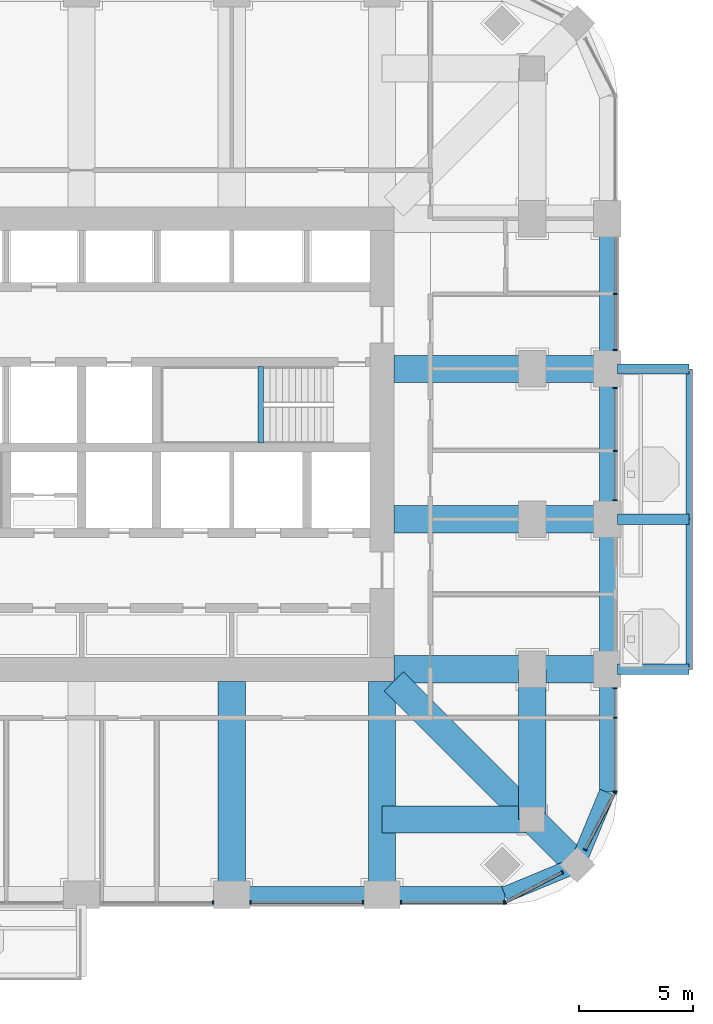
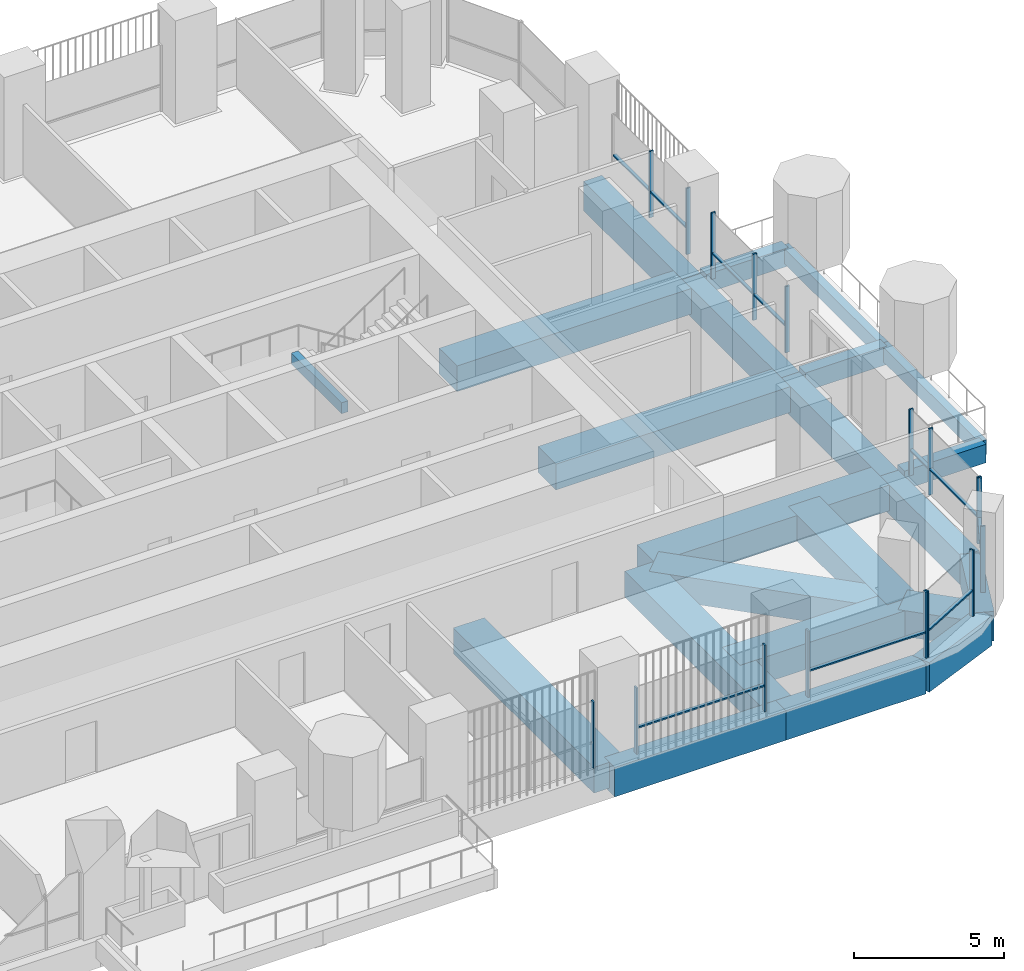
# One storey, part 5 of 20: 27 members, 23 beams, 8 elements without a shape of their own.
"""IFC4 building model written with IfcOpenShell, lengths in metres."""

from ifc_helpers import new_model, si_unit, direction, frame, origin, origin_2d, place, context, subcontext, project, spatial, rectangle, extrude, material, material_profile, profile_set, type_object, element, aggregate, save


model = new_model("IFC4")

# Units and contexts
model_context = context("Model", 3, precision=1e-05, world=origin(), true_north=direction((0.0, 1.0)))
body_context = subcontext(model_context, "Body", "Model", "MODEL_VIEW")
ifc_project = project(units=[si_unit("LENGTHUNIT", "METRE"), si_unit("AREAUNIT", "SQUARE_METRE"), si_unit("VOLUMEUNIT", "CUBIC_METRE"), si_unit("PLANEANGLEUNIT", "RADIAN"), si_unit("MASSUNIT", "GRAM", prefix="KILO")], contexts=[model_context])

# Site, building, storey
site_placement = place(None, origin())
site = spatial("IfcSite", under=ifc_project, at=site_placement, CompositionType="ELEMENT")
building_placement = place(site_placement, origin())
building = spatial("IfcBuilding", under=site, at=building_placement, Name="Cobogo Forest Laboratory Tower", CompositionType="ELEMENT")
storey_placement = place(building_placement, frame((0.0, 0.0, 193.5)))
storey = spatial("IfcBuildingStorey", under=building, at=storey_placement, Name="L44", CompositionType="ELEMENT", Elevation=193.5)

# Beams
ifc_material_1 = material(Name="Concrete HA-40 (C40/50)", Category="concrete")
ifc_material_profile_1 = material_profile(ifc_material_1, rectangle(XDim=0.449951171875, YDim=0.75, at=origin_2d()), Name="RC 450x750")
ifc_profile_set_1 = profile_set([ifc_material_profile_1], Name="Concrete HA-40 (C40/50)")
beam_type_1 = type_object("IfcBeamType", Name="Balcony cantilever beam 450x750", PredefinedType="BEAM", material=ifc_profile_set_1)
for number, where, z_axis, x_axis, name in (
    (1, (49.949951171875, 13.199951171875, -0.625), (1.0, 0.0, 0.0), (0.0, 1.0, 0.0), "CB1 BAL-E1-C1 L44"),
    (2, (49.949951171875, 19.800048828125, -0.625), (1.0, 0.0, 0.0), (0.0, 1.0, 0.0), "CB1 BAL-E1-C2 L44"),
    (3, (49.949951171875, 26.39990234375, -0.625), (1.0, 0.0, 0.0), (0.0, 1.0, 0.0), "CB1 BAL-E1-C3 L44"),
):
    element("IfcBeam", number, at=place(storey_placement, frame(where, z_axis=z_axis, x_axis=x_axis)), inside=storey, type_object=beam_type_1, Name=name, PredefinedType="BEAM", context=body_context, shape_type="SweptSolid", body=[
        extrude(rectangle(XDim=0.449951171875, YDim=0.75, at=origin_2d()), origin(), (0.0, 0.0, 1.0), 3.150146484375),
    ])
ifc_material_profile_2 = material_profile(ifc_material_1, rectangle(XDim=0.300048828125, YDim=0.60009765625, at=origin_2d()), Name="RC 300x600")
ifc_profile_set_2 = profile_set([ifc_material_profile_2], Name="Concrete HA-40 (C40/50)")
beam_type_2 = type_object("IfcBeamType", Name="Balcony edge beam 300x600", PredefinedType="BEAM", material=ifc_profile_set_2)
beam_1_placement = place(storey_placement, frame((53.10009765625, 13.199951171875, -0.550048828125), z_axis=(0.0, 1.0, 0.0), x_axis=(-1.0, 0.0, 0.0)))
element("IfcBeam", 4, at=beam_1_placement, inside=storey, type_object=beam_type_2, Name="BB1 BAL-E1-T1 L44", PredefinedType="BEAM", context=body_context, shape_type="SweptSolid", body=[
    extrude(rectangle(XDim=0.300048828125, YDim=0.60009765625, at=origin_2d()), origin(), (0.0, 0.0, 1.0), 6.60009765625),
])
beam_2_placement = place(storey_placement, frame((53.10009765625, 19.800048828125, -0.550048828125), z_axis=(0.0, 1.0, 0.0), x_axis=(-1.0, 0.0, 0.0)))
element("IfcBeam", 5, at=beam_2_placement, inside=storey, type_object=beam_type_2, Name="BB1 BAL-E1-T2 L44", PredefinedType="BEAM", context=body_context, shape_type="SweptSolid", body=[
    extrude(rectangle(XDim=0.300048828125, YDim=0.60009765625, at=origin_2d()), origin(), (0.0, 0.0, 1.0), 6.599853515625),
])
ifc_material_profile_3 = material_profile(ifc_material_1, rectangle(XDim=0.25, YDim=0.449951171875, at=origin_2d()), Name="RC 250x450")
ifc_profile_set_3 = profile_set([ifc_material_profile_3], Name="Concrete HA-40 (C40/50)")
beam_type_3 = type_object("IfcBeamType", Name="LB1 landing beam 250x450", PredefinedType="BEAM", material=ifc_profile_set_3)
beam_3_placement = place(storey_placement, frame((34.27001953125, 23.14990234375, 1.675048828125), z_axis=(0.0, 1.0, 0.0), x_axis=(-1.0, 0.0, 0.0)))
element("IfcBeam", 6, at=beam_3_placement, inside=storey, type_object=beam_type_3, Name="Landing beam ST2 L44", PredefinedType="BEAM", context=body_context, shape_type="SweptSolid", body=[
    extrude(rectangle(XDim=0.25, YDim=0.449951171875, at=origin_2d()), origin(), (0.0, 0.0, 1.0), 3.35009765625),
])
ifc_material_profile_4 = material_profile(ifc_material_1, rectangle(XDim=1.199951171875, YDim=1.050048828125, at=origin_2d()), Name="RC 1200x1050")
ifc_profile_set_4 = profile_set([ifc_material_profile_4], Name="Concrete HA-40 (C40/50)")
beam_type_4 = type_object("IfcBeamType", Name="Laboratory floor wide beam 1200x1050", PredefinedType="BEAM", material=ifc_profile_set_4)
for number, where, z_axis, x_axis, name in (
    (7, (33.0, 12.675048828125, -0.824951171875), (0.0, -1.0, 0.0), (1.0, 0.0, 0.0), "RB1 R-6-S L44"),
    (8, (39.60009765625, 12.675048828125, -0.824951171875), (0.0, -1.0, 0.0), (1.0, 0.0, 0.0), "RB1 R-7-S L44"),
    (9, (40.125, 13.199951171875, -0.824951171875), (1.0, 0.0, 0.0), (0.0, 1.0, 0.0), "RB1 R-C-E L44"),
    (10, (40.125, 19.800048828125, -0.824951171875), (1.0, 0.0, 0.0), (0.0, 1.0, 0.0), "RB1 R-D-E L44"),
    (11, (40.125, 26.39990234375, -0.824951171875), (1.0, 0.0, 0.0), (0.0, 1.0, 0.0), "RB1 R-E-E L44"),
):
    element("IfcBeam", number, at=place(storey_placement, frame(where, z_axis=z_axis, x_axis=x_axis)), inside=storey, type_object=beam_type_4, Name=name, PredefinedType="BEAM", context=body_context, shape_type="SweptSolid", body=[
        extrude(rectangle(XDim=1.199951171875, YDim=1.050048828125, at=origin_2d()), origin(), (0.0, 0.0, 1.0), 9.375),
    ])
for number, where, z_axis, x_axis, name in (
    (12, (46.199951171875, 6.60009765625, -0.824951171875), (0.0, 1.0, 0.0), (-1.0, 0.0, 0.0), "RB1 G-SE-XC L44"),
    (13, (46.199951171875, 6.60009765625, -0.824951171875), (-1.0, 0.0, 0.0), (0.0, -1.0, 0.0), "RB1 G-SE-YC L44"),
):
    element("IfcBeam", number, at=place(storey_placement, frame(where, z_axis=z_axis, x_axis=x_axis)), inside=storey, type_object=beam_type_4, Name=name, PredefinedType="BEAM", context=body_context, shape_type="SweptSolid", body=[
        extrude(rectangle(XDim=1.199951171875, YDim=1.050048828125, at=origin_2d()), origin(), (0.0, 0.0, 1.0), 6.599853515625),
    ])
beam_4_placement = place(storey_placement, frame((48.181884765625, 4.617919921875, -0.824951171875), z_axis=(-0.707063230743, 0.707150328948, 0.0), x_axis=(-0.707150328948, -0.707063230743, 0.0)))
element("IfcBeam", 14, at=beam_4_placement, inside=storey, type_object=beam_type_4, Name="RB1 G-SE-D1 L44", PredefinedType="BEAM", context=body_context, shape_type="SweptSolid", body=[
    extrude(rectangle(XDim=1.199951171875, YDim=1.050048828125, at=origin_2d()), origin(), (0.0, 0.0, 1.0), 2.802978515625),
])
beam_5_placement = place(storey_placement, frame((46.199951171875, 6.60009765625, -0.824951171875), z_axis=(-0.707106781187, 0.707106781187, 0.0), x_axis=(-0.707106781187, -0.707106781187, 0.0)))
element("IfcBeam", 15, at=beam_5_placement, inside=storey, type_object=beam_type_4, Name="RB1 G-SE-D2 L44", PredefinedType="BEAM", context=body_context, shape_type="SweptSolid", body=[
    extrude(rectangle(XDim=1.199951171875, YDim=1.050048828125, at=origin_2d()), origin(), (0.0, 0.0, 1.0), 8.59130859375),
])

# Curtain wall, member
ifc_material_2 = material(Name="Aluminium curtain wall", Category="aluminium")
curtain_wall_type = type_object("IfcCurtainWallType", Name="CW-2 unitised curtain wall, solar control glazing, laboratory floors zones C and D", PredefinedType="USERDEFINED", material=ifc_material_2)
curtain_wall_1_placement = place(storey_placement, origin())
curtain_wall_1 = element("IfcCurtainWall", 16, at=curtain_wall_1_placement, inside=storey, type_object=curtain_wall_type, Name="Curtain wall 04 L44", ObjectType="UNITISED CURTAIN WALL", PredefinedType="USERDEFINED")
ifc_material_3 = material(Name="Aluminium mullion", Category="aluminium")
ifc_material_profile_5 = material_profile(ifc_material_3, rectangle(XDim=0.06005859375, YDim=0.159912109375, at=origin_2d()), Name="AL 60x160")
ifc_profile_set_5 = profile_set([ifc_material_profile_5], Name="Aluminium mullion")
member_type_1 = type_object("IfcMemberType", Name="MU-1 aluminium mullion 60x160", PredefinedType="MULLION", material=ifc_profile_set_5)
member_1_placement = place(storey_placement, frame((32.169921875, 2.949951171875, 0.0), z_axis=(0.0, 0.0, 1.0), x_axis=(1.0, 0.0, 0.0)))
member_1 = element("IfcMember", 17, at=member_1_placement, type_object=member_type_1, Name="CW-2 mullion 3", PredefinedType="MULLION", context=body_context, shape_type="SweptSolid", body=[
    extrude(rectangle(XDim=0.06005859375, YDim=0.159912109375, at=origin_2d()), origin(), (0.0, 0.0, 1.0), 2.699951171875),
])
aggregate(curtain_wall_1, [member_1])

# Curtain wall, members
curtain_wall_2_placement = place(storey_placement, origin())
curtain_wall_2 = element("IfcCurtainWall", 18, at=curtain_wall_2_placement, inside=storey, type_object=curtain_wall_type, Name="Curtain wall 05 L44", ObjectType="UNITISED CURTAIN WALL", PredefinedType="USERDEFINED")
member_2_placement = place(storey_placement, frame((33.830078125, 2.949951171875, 0.0), z_axis=(0.0, 0.0, 1.0), x_axis=(1.0, 0.0, 0.0)))
member_2 = element("IfcMember", 19, at=member_2_placement, type_object=member_type_1, Name="CW-2 mullion 1", PredefinedType="MULLION", context=body_context, shape_type="SweptSolid", body=[
    extrude(rectangle(XDim=0.06005859375, YDim=0.159912109375, at=origin_2d()), origin(), (0.0, 0.0, 1.0), 2.699951171875),
])
member_3_placement = place(storey_placement, frame((38.77001953125, 2.949951171875, 0.0), z_axis=(0.0, 0.0, 1.0), x_axis=(1.0, 0.0, 0.0)))
member_3 = element("IfcMember", 20, at=member_3_placement, type_object=member_type_1, Name="CW-2 mullion 2", PredefinedType="MULLION", context=body_context, shape_type="SweptSolid", body=[
    extrude(rectangle(XDim=0.06005859375, YDim=0.159912109375, at=origin_2d()), origin(), (0.0, 0.0, 1.0), 2.699951171875),
])

curtain_wall_3_placement = place(storey_placement, origin())
curtain_wall_3 = element("IfcCurtainWall", 21, at=curtain_wall_3_placement, inside=storey, type_object=curtain_wall_type, Name="Curtain wall 06 L44", ObjectType="UNITISED CURTAIN WALL", PredefinedType="USERDEFINED")
member_4_placement = place(storey_placement, frame((40.429931640625, 2.949951171875, 0.0), z_axis=(0.0, 0.0, 1.0), x_axis=(1.0, 0.0, 0.0)))
member_4 = element("IfcMember", 22, at=member_4_placement, type_object=member_type_1, Name="CW-2 mullion 1", PredefinedType="MULLION", context=body_context, shape_type="SweptSolid", body=[
    extrude(rectangle(XDim=0.06005859375, YDim=0.159912109375, at=origin_2d()), origin(), (0.0, 0.0, 1.0), 2.699951171875),
])
member_5_placement = place(storey_placement, frame((44.969970703125, 2.949951171875, 0.0), z_axis=(0.0, 0.0, 1.0), x_axis=(1.0, 0.0, 0.0)))
member_5 = element("IfcMember", 23, at=member_5_placement, type_object=member_type_1, Name="CW-2 mullion 2", PredefinedType="MULLION", context=body_context, shape_type="SweptSolid", body=[
    extrude(rectangle(XDim=0.06005859375, YDim=0.159912109375, at=origin_2d()), origin(), (0.0, 0.0, 1.0), 2.699951171875),
])

curtain_wall_4_placement = place(storey_placement, origin())
curtain_wall_4 = element("IfcCurtainWall", 24, at=curtain_wall_4_placement, inside=storey, type_object=curtain_wall_type, Name="Curtain wall 07 L44", ObjectType="UNITISED CURTAIN WALL", PredefinedType="USERDEFINED")
member_6_placement = place(storey_placement, frame((45.026611328125, 2.9638671875, 0.0), z_axis=(0.0, 0.0, 1.0), x_axis=(0.885686484356, 0.464283804832, 0.0)))
member_6 = element("IfcMember", 25, at=member_6_placement, type_object=member_type_1, Name="CW-2 mullion 1", PredefinedType="MULLION", context=body_context, shape_type="SweptSolid", body=[
    extrude(rectangle(XDim=0.06005859375, YDim=0.159912109375, at=origin_2d()), origin(), (0.0, 0.0, 1.0), 2.699951171875),
])
member_7_placement = place(storey_placement, frame((47.5244140625, 4.2734375, 0.0), z_axis=(0.0, 0.0, 1.0), x_axis=(0.885686484356, 0.464283804832, 0.0)))
member_7 = element("IfcMember", 26, at=member_7_placement, type_object=member_type_1, Name="CW-2 mullion 2", PredefinedType="MULLION", context=body_context, shape_type="SweptSolid", body=[
    extrude(rectangle(XDim=0.06005859375, YDim=0.159912109375, at=origin_2d()), origin(), (0.0, 0.0, 1.0), 2.699951171875),
])

curtain_wall_5_placement = place(storey_placement, origin())
curtain_wall_5 = element("IfcCurtainWall", 27, at=curtain_wall_5_placement, inside=storey, type_object=curtain_wall_type, Name="Curtain wall 08 L44", ObjectType="UNITISED CURTAIN WALL", PredefinedType="USERDEFINED")
member_8_placement = place(storey_placement, frame((48.526611328125, 5.275634765625, 0.0), z_axis=(0.0, 0.0, 1.0), x_axis=(0.464283804832, 0.885686484356, 0.0)))
member_8 = element("IfcMember", 28, at=member_8_placement, type_object=member_type_1, Name="CW-2 mullion 1", PredefinedType="MULLION", context=body_context, shape_type="SweptSolid", body=[
    extrude(rectangle(XDim=0.06005859375, YDim=0.159912109375, at=origin_2d()), origin(), (0.0, 0.0, 1.0), 2.699951171875),
])
member_9_placement = place(storey_placement, frame((49.836181640625, 7.7734375, 0.0), z_axis=(0.0, 0.0, 1.0), x_axis=(0.464283804832, 0.885686484356, 0.0)))
member_9 = element("IfcMember", 29, at=member_9_placement, type_object=member_type_1, Name="CW-2 mullion 2", PredefinedType="MULLION", context=body_context, shape_type="SweptSolid", body=[
    extrude(rectangle(XDim=0.06005859375, YDim=0.159912109375, at=origin_2d()), origin(), (0.0, 0.0, 1.0), 2.699951171875),
])

curtain_wall_6_placement = place(storey_placement, origin())
curtain_wall_6 = element("IfcCurtainWall", 30, at=curtain_wall_6_placement, inside=storey, type_object=curtain_wall_type, Name="Curtain wall 09 L44", ObjectType="UNITISED CURTAIN WALL", PredefinedType="USERDEFINED")
member_10_placement = place(storey_placement, frame((49.85009765625, 7.830078125, 0.0), z_axis=(0.0, 0.0, 1.0), x_axis=(0.0, 1.0, 0.0)))
member_10 = element("IfcMember", 31, at=member_10_placement, type_object=member_type_1, Name="CW-2 mullion 1", PredefinedType="MULLION", context=body_context, shape_type="SweptSolid", body=[
    extrude(rectangle(XDim=0.06005859375, YDim=0.159912109375, at=origin_2d()), origin(), (0.0, 0.0, 1.0), 2.699951171875),
])
member_11_placement = place(storey_placement, frame((49.85009765625, 11.074951171875, 0.0), z_axis=(0.0, 0.0, 1.0), x_axis=(0.0, 1.0, 0.0)))
member_11 = element("IfcMember", 32, at=member_11_placement, type_object=member_type_1, Name="CW-2 mullion 2", PredefinedType="MULLION", context=body_context, shape_type="SweptSolid", body=[
    extrude(rectangle(XDim=0.06005859375, YDim=0.159912109375, at=origin_2d()), origin(), (0.0, 0.0, 1.0), 2.699951171875),
])
member_12_placement = place(storey_placement, frame((49.85009765625, 12.3701171875, 0.0), z_axis=(0.0, 0.0, 1.0), x_axis=(0.0, 1.0, 0.0)))
member_12 = element("IfcMember", 33, at=member_12_placement, type_object=member_type_1, Name="CW-2 mullion 3", PredefinedType="MULLION", context=body_context, shape_type="SweptSolid", body=[
    extrude(rectangle(XDim=0.06005859375, YDim=0.159912109375, at=origin_2d()), origin(), (0.0, 0.0, 1.0), 2.699951171875),
])

curtain_wall_7_placement = place(storey_placement, origin())
curtain_wall_7 = element("IfcCurtainWall", 34, at=curtain_wall_7_placement, inside=storey, type_object=curtain_wall_type, Name="Curtain wall 11 L44", ObjectType="UNITISED CURTAIN WALL", PredefinedType="USERDEFINED")
member_13_placement = place(storey_placement, frame((49.85009765625, 20.6298828125, 0.0), z_axis=(0.0, 0.0, 1.0), x_axis=(0.0, 1.0, 0.0)))
member_13 = element("IfcMember", 35, at=member_13_placement, type_object=member_type_1, Name="CW-2 mullion 1", PredefinedType="MULLION", context=body_context, shape_type="SweptSolid", body=[
    extrude(rectangle(XDim=0.06005859375, YDim=0.159912109375, at=origin_2d()), origin(), (0.0, 0.0, 1.0), 2.699951171875),
])
member_14_placement = place(storey_placement, frame((49.85009765625, 22.800048828125, 0.0), z_axis=(0.0, 0.0, 1.0), x_axis=(0.0, 1.0, 0.0)))
member_14 = element("IfcMember", 36, at=member_14_placement, type_object=member_type_1, Name="CW-2 mullion 2", PredefinedType="MULLION", context=body_context, shape_type="SweptSolid", body=[
    extrude(rectangle(XDim=0.06005859375, YDim=0.159912109375, at=origin_2d()), origin(), (0.0, 0.0, 1.0), 2.699951171875),
])
member_15_placement = place(storey_placement, frame((49.85009765625, 25.570068359375, 0.0), z_axis=(0.0, 0.0, 1.0), x_axis=(0.0, 1.0, 0.0)))
member_15 = element("IfcMember", 37, at=member_15_placement, type_object=member_type_1, Name="CW-2 mullion 3", PredefinedType="MULLION", context=body_context, shape_type="SweptSolid", body=[
    extrude(rectangle(XDim=0.06005859375, YDim=0.159912109375, at=origin_2d()), origin(), (0.0, 0.0, 1.0), 2.699951171875),
])

curtain_wall_8_placement = place(storey_placement, origin())
curtain_wall_8 = element("IfcCurtainWall", 38, at=curtain_wall_8_placement, inside=storey, type_object=curtain_wall_type, Name="Curtain wall 12 L44", ObjectType="UNITISED CURTAIN WALL", PredefinedType="USERDEFINED")
member_16_placement = place(storey_placement, frame((49.85009765625, 27.22998046875, 0.0), z_axis=(0.0, 0.0, 1.0), x_axis=(0.0, 1.0, 0.0)))
member_16 = element("IfcMember", 39, at=member_16_placement, type_object=member_type_1, Name="CW-2 mullion 1", PredefinedType="MULLION", context=body_context, shape_type="SweptSolid", body=[
    extrude(rectangle(XDim=0.06005859375, YDim=0.159912109375, at=origin_2d()), origin(), (0.0, 0.0, 1.0), 2.699951171875),
])
member_17_placement = place(storey_placement, frame((49.85009765625, 29.699951171875, 0.0), z_axis=(0.0, 0.0, 1.0), x_axis=(0.0, 1.0, 0.0)))
member_17 = element("IfcMember", 40, at=member_17_placement, type_object=member_type_1, Name="CW-2 mullion 2", PredefinedType="MULLION", context=body_context, shape_type="SweptSolid", body=[
    extrude(rectangle(XDim=0.06005859375, YDim=0.159912109375, at=origin_2d()), origin(), (0.0, 0.0, 1.0), 2.699951171875),
])

# Beams
ifc_material_profile_6 = material_profile(ifc_material_1, rectangle(XDim=0.699951171875, YDim=1.199951171875, at=origin_2d()), Name="RC 700x1200")
ifc_profile_set_6 = profile_set([ifc_material_profile_6], Name="Concrete HA-40 (C40/50)")
beam_type_5 = type_object("IfcBeamType", Name="Perimeter edge beam 700x1200", PredefinedType="BEAM", material=ifc_profile_set_6)
for number, where, z_axis, x_axis, name in (
    (41, (33.0, 3.300048828125, -0.89990234375), (1.0, 0.0, 0.0), (0.0, 1.0, 0.0), "EB1 E-S4 L44"),
    (42, (49.5, 13.199951171875, -0.89990234375), (0.0, 1.0, 0.0), (-1.0, 0.0, 0.0), "EB1 E-E1 L44"),
):
    element("IfcBeam", number, at=place(storey_placement, frame(where, z_axis=z_axis, x_axis=x_axis)), inside=storey, type_object=beam_type_5, Name=name, PredefinedType="BEAM", context=body_context, shape_type="SweptSolid", body=[
        extrude(rectangle(XDim=0.699951171875, YDim=1.199951171875, at=origin_2d()), origin(), (0.0, 0.0, 1.0), 6.60009765625),
    ])
beam_6_placement = place(storey_placement, frame((49.5, 19.800048828125, -0.89990234375), z_axis=(0.0, 1.0, 0.0), x_axis=(-1.0, 0.0, 0.0)))
element("IfcBeam", 43, at=beam_6_placement, inside=storey, type_object=beam_type_5, Name="EB1 E-E2 L44", PredefinedType="BEAM", context=body_context, shape_type="SweptSolid", body=[
    extrude(rectangle(XDim=0.699951171875, YDim=1.199951171875, at=origin_2d()), origin(), (0.0, 0.0, 1.0), 6.599853515625),
])
beam_7_placement = place(storey_placement, frame((49.5, 26.39990234375, -0.89990234375), z_axis=(0.0, 1.0, 0.0), x_axis=(-1.0, 0.0, 0.0)))
element("IfcBeam", 44, at=beam_7_placement, inside=storey, type_object=beam_type_5, Name="EB1 E-E3 L44", PredefinedType="BEAM", context=body_context, shape_type="SweptSolid", body=[
    extrude(rectangle(XDim=0.699951171875, YDim=1.199951171875, at=origin_2d()), origin(), (0.0, 0.0, 1.0), 6.60009765625),
])
beam_8_placement = place(storey_placement, frame((39.60009765625, 3.300048828125, -0.89990234375), z_axis=(1.0, 0.0, 0.0), x_axis=(0.0, 1.0, 0.0)))
element("IfcBeam", 45, at=beam_8_placement, inside=storey, type_object=beam_type_5, Name="EB1 E-SES1 L44", PredefinedType="BEAM", context=body_context, shape_type="SweptSolid", body=[
    extrude(rectangle(XDim=0.699951171875, YDim=1.199951171875, at=origin_2d()), origin(), (0.0, 0.0, 1.0), 5.39990234375),
])
beam_9_placement = place(storey_placement, frame((45.0, 3.300048828125, -0.89990234375), z_axis=(0.923890694089, 0.382656484822, 0.0), x_axis=(-0.382656484822, 0.923890694089, 0.0)))
element("IfcBeam", 46, at=beam_9_placement, inside=storey, type_object=beam_type_5, Name="EB1 E-SES2 L44", PredefinedType="BEAM", context=body_context, shape_type="SweptSolid", body=[
    extrude(rectangle(XDim=0.699951171875, YDim=1.199951171875, at=origin_2d()), origin(), (0.0, 0.0, 1.0), 3.444091796875),
])
beam_10_placement = place(storey_placement, frame((49.5, 13.199951171875, -0.89990234375), z_axis=(0.0, -1.0, 0.0), x_axis=(1.0, 0.0, 0.0)))
element("IfcBeam", 47, at=beam_10_placement, inside=storey, type_object=beam_type_5, Name="EB1 E-SEE1 L44", PredefinedType="BEAM", context=body_context, shape_type="SweptSolid", body=[
    extrude(rectangle(XDim=0.699951171875, YDim=1.199951171875, at=origin_2d()), origin(), (0.0, 0.0, 1.0), 5.39990234375),
])
beam_11_placement = place(storey_placement, frame((49.5, 7.800048828125, -0.89990234375), z_axis=(-0.382691928466, -0.923876013265, 0.0), x_axis=(0.923876013265, -0.382691928466, 0.0)))
element("IfcBeam", 48, at=beam_11_placement, inside=storey, type_object=beam_type_5, Name="EB1 E-SEE2 L44", PredefinedType="BEAM", context=body_context, shape_type="SweptSolid", body=[
    extrude(rectangle(XDim=0.699951171875, YDim=1.199951171875, at=origin_2d()), origin(), (0.0, 0.0, 1.0), 3.4443359375),
])

# Member
ifc_material_4 = material(Name="Aluminium transom", Category="aluminium")
ifc_material_profile_7 = material_profile(ifc_material_4, rectangle(XDim=0.1201171875, YDim=0.06005859375, at=origin_2d()), Name="AL 60x120")
ifc_profile_set_7 = profile_set([ifc_material_profile_7], Name="Aluminium transom")
member_type_2 = type_object("IfcMemberType", Name="TR-1 aluminium transom 60x120", PredefinedType="USERDEFINED", material=ifc_profile_set_7)
member_18_placement = place(storey_placement, frame((33.860107421875, 2.949951171875, 1.050048828125), z_axis=(1.0, 0.0, 0.0), x_axis=(0.0, 1.0, 0.0)))
member_18 = element("IfcMember", 49, at=member_18_placement, type_object=member_type_2, Name="CW-2 transom 1.1", ObjectType="TRANSOM", PredefinedType="USERDEFINED", context=body_context, shape_type="SweptSolid", body=[
    extrude(rectangle(XDim=0.1201171875, YDim=0.06005859375, at=origin_2d()), origin(), (0.0, 0.0, 1.0), 4.8798828125),
])

aggregate(curtain_wall_2, [member_2, member_3, member_18])

member_19_placement = place(storey_placement, frame((40.4599609375, 2.949951171875, 1.050048828125), z_axis=(1.0, 0.0, 0.0), x_axis=(0.0, 1.0, 0.0)))
member_19 = element("IfcMember", 50, at=member_19_placement, type_object=member_type_2, Name="CW-2 transom 1.1", ObjectType="TRANSOM", PredefinedType="USERDEFINED", context=body_context, shape_type="SweptSolid", body=[
    extrude(rectangle(XDim=0.1201171875, YDim=0.06005859375, at=origin_2d()), origin(), (0.0, 0.0, 1.0), 4.47998046875),
])

aggregate(curtain_wall_3, [member_4, member_5, member_19])

member_20_placement = place(storey_placement, frame((45.05322265625, 2.977783203125, 1.050048828125), z_axis=(0.885646224078, 0.464360598863, 0.0), x_axis=(-0.464360598863, 0.885646224078, 0.0)))
member_20 = element("IfcMember", 51, at=member_20_placement, type_object=member_type_2, Name="CW-2 transom 1.1", ObjectType="TRANSOM", PredefinedType="USERDEFINED", context=body_context, shape_type="SweptSolid", body=[
    extrude(rectangle(XDim=0.1201171875, YDim=0.06005859375, at=origin_2d()), origin(), (0.0, 0.0, 1.0), 2.76025390625),
])

aggregate(curtain_wall_4, [member_6, member_7, member_20])

member_21_placement = place(storey_placement, frame((48.54052734375, 5.302001953125, 1.050048828125), z_axis=(0.464254846591, 0.88570166389, 0.0), x_axis=(-0.88570166389, 0.464254846591, 0.0)))
member_21 = element("IfcMember", 52, at=member_21_placement, type_object=member_type_2, Name="CW-2 transom 1.1", ObjectType="TRANSOM", PredefinedType="USERDEFINED", context=body_context, shape_type="SweptSolid", body=[
    extrude(rectangle(XDim=0.1201171875, YDim=0.06005859375, at=origin_2d()), origin(), (0.0, 0.0, 1.0), 2.76025390625),
])

aggregate(curtain_wall_5, [member_8, member_9, member_21])

member_22_placement = place(storey_placement, frame((49.85009765625, 7.860107421875, 1.050048828125), z_axis=(0.0, 1.0, 0.0), x_axis=(-1.0, 0.0, 0.0)))
member_22 = element("IfcMember", 53, at=member_22_placement, type_object=member_type_2, Name="CW-2 transom 1.1", ObjectType="TRANSOM", PredefinedType="USERDEFINED", context=body_context, shape_type="SweptSolid", body=[
    extrude(rectangle(XDim=0.1201171875, YDim=0.06005859375, at=origin_2d()), origin(), (0.0, 0.0, 1.0), 3.184814453125),
])

member_23_placement = place(storey_placement, frame((49.85009765625, 11.10498046875, 1.050048828125), z_axis=(0.0, 1.0, 0.0), x_axis=(-1.0, 0.0, 0.0)))
member_23 = element("IfcMember", 54, at=member_23_placement, type_object=member_type_2, Name="CW-2 transom 2.1", ObjectType="TRANSOM", PredefinedType="USERDEFINED", context=body_context, shape_type="SweptSolid", body=[
    extrude(rectangle(XDim=0.1201171875, YDim=0.06005859375, at=origin_2d()), origin(), (0.0, 0.0, 1.0), 1.235107421875),
])

aggregate(curtain_wall_6, [member_10, member_11, member_12, member_22, member_23])

member_24_placement = place(storey_placement, frame((49.85009765625, 20.659912109375, 1.050048828125), z_axis=(0.0, 1.0, 0.0), x_axis=(-1.0, 0.0, 0.0)))
member_24 = element("IfcMember", 55, at=member_24_placement, type_object=member_type_2, Name="CW-2 transom 1.1", ObjectType="TRANSOM", PredefinedType="USERDEFINED", context=body_context, shape_type="SweptSolid", body=[
    extrude(rectangle(XDim=0.1201171875, YDim=0.06005859375, at=origin_2d()), origin(), (0.0, 0.0, 1.0), 2.110107421875),
])

member_25_placement = place(storey_placement, frame((49.85009765625, 22.830078125, 1.050048828125), z_axis=(0.0, 1.0, 0.0), x_axis=(-1.0, 0.0, 0.0)))
member_25 = element("IfcMember", 56, at=member_25_placement, type_object=member_type_2, Name="CW-2 transom 2.1", ObjectType="TRANSOM", PredefinedType="USERDEFINED", context=body_context, shape_type="SweptSolid", body=[
    extrude(rectangle(XDim=0.1201171875, YDim=0.06005859375, at=origin_2d()), origin(), (0.0, 0.0, 1.0), 2.7099609375),
])

aggregate(curtain_wall_7, [member_13, member_14, member_15, member_24, member_25])

member_26_placement = place(storey_placement, frame((49.85009765625, 27.260009765625, 1.050048828125), z_axis=(0.0, 1.0, 0.0), x_axis=(-1.0, 0.0, 0.0)))
member_26 = element("IfcMember", 57, at=member_26_placement, type_object=member_type_2, Name="CW-2 transom 1.1", ObjectType="TRANSOM", PredefinedType="USERDEFINED", context=body_context, shape_type="SweptSolid", body=[
    extrude(rectangle(XDim=0.1201171875, YDim=0.06005859375, at=origin_2d()), origin(), (0.0, 0.0, 1.0), 2.409912109375),
])

member_27_placement = place(storey_placement, frame((49.85009765625, 29.72998046875, 1.050048828125), z_axis=(0.0, 1.0, 0.0), x_axis=(-1.0, 0.0, 0.0)))
member_27 = element("IfcMember", 58, at=member_27_placement, type_object=member_type_2, Name="CW-2 transom 2.1", ObjectType="TRANSOM", PredefinedType="USERDEFINED", context=body_context, shape_type="SweptSolid", body=[
    extrude(rectangle(XDim=0.1201171875, YDim=0.06005859375, at=origin_2d()), origin(), (0.0, 0.0, 1.0), 2.409912109375),
])

aggregate(curtain_wall_8, [member_16, member_17, member_26, member_27])

save(model, "model.ifc")
